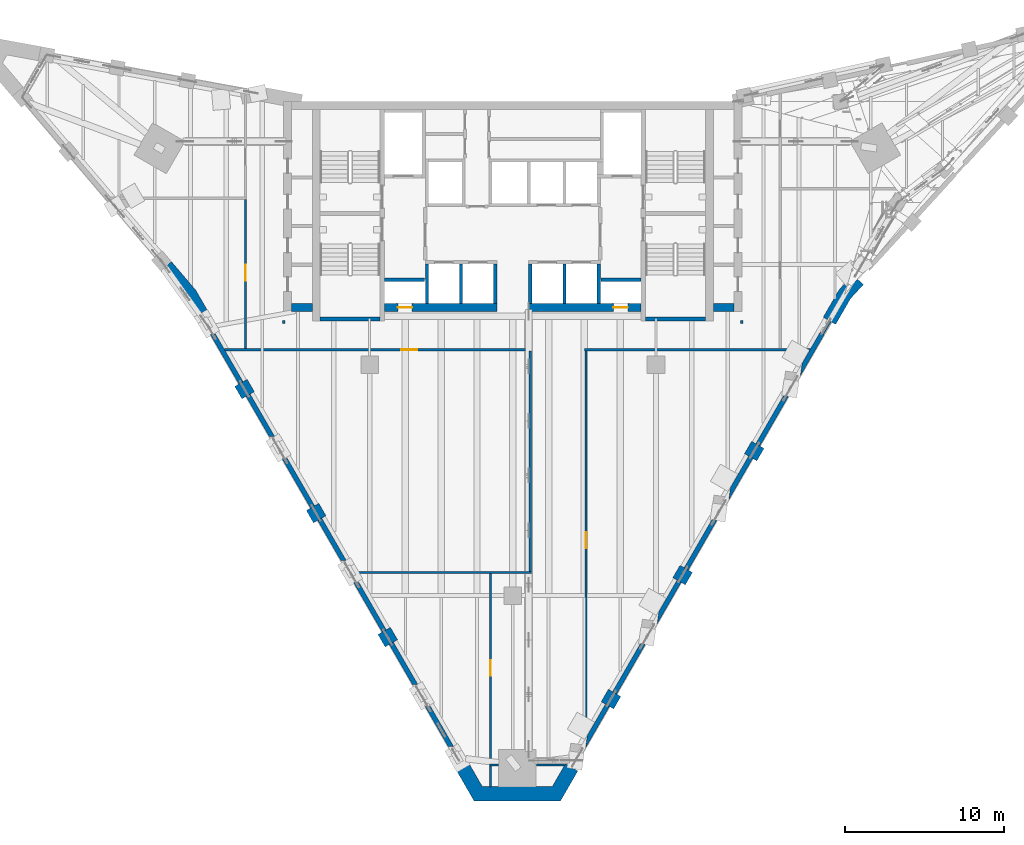
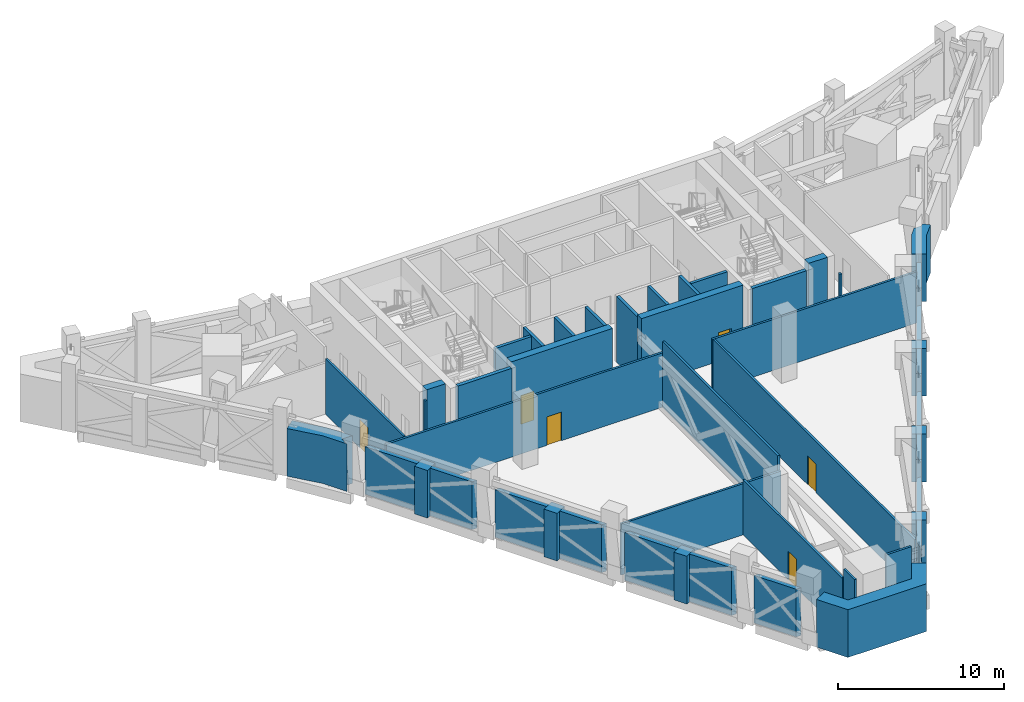
# One storey, part 10 of 23: 50 walls, 6 doors, 6 openings.
"""IFC4 building model written with IfcOpenShell, lengths in metres."""

from ifc_helpers import new_model, si_unit, direction, frame, frame_2d, origin, place, context, subcontext, project, spatial, polyline, rectangle, outline, extrude, material, layer, layer_set, type_object, element, fill, save


model = new_model("IFC4")

# Units and contexts
model_context = context("Model", 3, precision=1e-05, world=origin(), true_north=direction((0.0, 1.0)))
body_context = subcontext(model_context, "Body", "Model", "MODEL_VIEW")
ifc_project = project(units=[si_unit("LENGTHUNIT", "METRE"), si_unit("AREAUNIT", "SQUARE_METRE"), si_unit("VOLUMEUNIT", "CUBIC_METRE"), si_unit("PLANEANGLEUNIT", "RADIAN"), si_unit("MASSUNIT", "GRAM", prefix="KILO")], contexts=[model_context])

# Site, building, storey
site_placement = place(None, origin())
site = spatial("IfcSite", under=ifc_project, at=site_placement, CompositionType="ELEMENT")
building_placement = place(site_placement, origin())
building = spatial("IfcBuilding", under=site, at=building_placement, Name="Calabash Gate Tower", CompositionType="ELEMENT")
storey_placement = place(building_placement, frame((0.0, 0.0, 243.199951171875)))
storey = spatial("IfcBuildingStorey", under=building, at=storey_placement, Name="L58", CompositionType="ELEMENT", Elevation=243.199951171875)

# Walls
ifc_material_1 = material(Name="Terracotta brick masonry, exposed face", Category="masonry")
ifc_layer_1 = layer(ifc_material_1, 0.89990234375)
ifc_layer_set_1 = layer_set([ifc_layer_1], Name="Brick end wall 900")
wall_type_1 = type_object("IfcWallType", Name="Brick end wall 900", PredefinedType="SOLIDWALL", material=ifc_layer_set_1)
wall_1_placement = place(storey_placement, frame((-16.632080078125, 0.5908203125, 0.0), z_axis=(0.0, 0.0, 1.0), x_axis=(-0.50001992892, 0.866013897511, 0.0)))
element("IfcWall", 1, at=wall_1_placement, inside=storey, type_object=wall_type_1, Name="Brick pier L58 SW0.1", PredefinedType="SOLIDWALL", context=body_context, shape_type="SweptSolid", body=[
    extrude(rectangle(XDim=0.89990234375, YDim=0.89990234375, at=frame_2d((0.449951171875, 0.0))), origin(), (0.0, 0.0, 1.0), 3.5),
])
wall_2_placement = place(storey_placement, frame((-12.58203125, -6.424072265625, 0.0), z_axis=(0.0, 0.0, 1.0), x_axis=(0.499902469156, -0.866081705922, 0.0)))
element("IfcWall", 2, at=wall_2_placement, inside=storey, type_object=wall_type_1, Name="Brick pier L58 SW0.3", PredefinedType="SOLIDWALL", context=body_context, shape_type="SweptSolid", body=[
    extrude(rectangle(XDim=0.900146484375, YDim=0.89990234375, at=frame_2d((0.4501953125, 0.0))), origin(), (0.0, 0.0, 1.0), 3.5),
])
for number, where, z_axis, x_axis, name in (
    (3, (-7.46728515625, -14.383056640625, 0.0), (0.0, 0.0, 1.0), (-0.866013897511, -0.50001992892, 0.0), "Brick pier L58 SW0.5"),
    (4, (5.949462890625, -18.894775390625, 0.0), (0.0, 0.0, 1.0), (0.50001992892, 0.866013897511, 0.0), "Brick pier L58 SE2.1"),
    (5, (10.8994140625, -10.3212890625, 0.0), (0.0, 0.0, 1.0), (-0.50001992892, -0.866013897511, 0.0), "Brick pier L58 SE2.3"),
    (6, (14.949462890625, -3.306396484375, 0.0), (0.0, 0.0, 1.0), (0.50001992892, 0.866013897511, 0.0), "Brick pier L58 SE2.5"),
):
    element("IfcWall", number, at=place(storey_placement, frame(where, z_axis=z_axis, x_axis=x_axis)), inside=storey, type_object=wall_type_1, Name=name, PredefinedType="SOLIDWALL", context=body_context, shape_type="SweptSolid", body=[
        extrude(rectangle(XDim=0.89990234375, YDim=0.89990234375, at=frame_2d((0.449951171875, 0.0))), origin(), (0.0, 0.0, 1.0), 3.5),
    ])
wall_3_placement = place(storey_placement, origin())
element("IfcWall", 7, at=wall_3_placement, inside=storey, type_object=wall_type_1, Name="Brick end wall L58 1", PredefinedType="SOLIDWALL", context=body_context, shape_type="SweptSolid", body=[
    extrude(outline(polyline([(-2.7421875, -22.56689453125), (-3.521728515625, -23.01708984375), (-2.432861328125, -24.90283203125), (3.000244140625, -24.90283203125), (4.089111328125, -23.01708984375), (3.3095703125, -22.56689453125), (2.480712890625, -24.0029296875), (-1.913330078125, -24.0029296875), (-2.7421875, -22.56689453125)])), origin(), (0.0, 0.0, 1.0), 3.5),
])
wall_4_placement = place(storey_placement, origin())
element("IfcWall", 8, at=wall_4_placement, inside=storey, type_object=wall_type_1, Name="Brick end wall L58 2", PredefinedType="SOLIDWALL", context=body_context, shape_type="SweptSolid", body=[
    extrude(outline(polyline([(19.509765625, 5.4921875), (20.2890625, 5.042236328125), (21.223388671875, 6.66064453125), (22.035888671875, 7.548828125), (21.680908203125, 7.87353515625), (21.48095703125, 7.737060546875), (20.98828125, 7.737060546875), (20.4931640625, 7.19580078125), (19.509765625, 5.4921875)])), origin(), (0.0, 0.0, 1.0), 3.5),
])
wall_5_placement = place(storey_placement, origin())
element("IfcWall", 9, at=wall_5_placement, inside=storey, type_object=wall_type_1, Name="Brick end wall L58 7", PredefinedType="SOLIDWALL", context=body_context, shape_type="SweptSolid", body=[
    extrude(outline(polyline([(-21.44921875, 8.985595703125), (-22.135009765625, 8.402587890625), (-20.66015625, 6.667724609375), (-19.822998046875, 5.2177734375), (-19.822998046875, 5.7880859375), (-19.113037109375, 5.7880859375), (-19.921630859375, 7.1884765625), (-21.44921875, 8.985595703125)])), origin(), (0.0, 0.0, 1.0), 3.5),
])
ifc_material_2 = material(Name="Concrete C70/85", Category="concrete")
ifc_layer_2 = layer(ifc_material_2, 0.25)
ifc_layer_set_2 = layer_set([ifc_layer_2], Name="Core wall 250 Concrete C70/85")
wall_type_2 = type_object("IfcWallType", Name="Core wall 250 Concrete C70/85", PredefinedType="SHEAR", material=ifc_layer_set_2)
for number, where, z_axis, x_axis, name in (
    (10, (-12.10009765625, 5.377685546875, 0.0), (0.0, 0.0, 1.0), (1.0, 0.0, 0.0), "Core wall Z4-SSW L58"),
    (11, (8.35009765625, 5.377685546875, 0.0), (0.0, 0.0, 1.0), (1.0, 0.0, 0.0), "Core wall Z4-SSE L58"),
):
    element("IfcWall", number, at=place(storey_placement, frame(where, z_axis=z_axis, x_axis=x_axis)), inside=storey, type_object=wall_type_2, Name=name, PredefinedType="SHEAR", context=body_context, shape_type="SweptSolid", body=[
        extrude(rectangle(XDim=3.75, YDim=0.25, at=frame_2d((1.875, 0.0))), origin(), (0.0, 0.0, 1.0), 5.0),
    ])

# Wall, opening, door
ifc_material_3 = material(Name="Concrete C70/85", Category="concrete")
ifc_layer_3 = layer(ifc_material_3, 0.5)
ifc_layer_set_3 = layer_set([ifc_layer_3], Name="Core wall 500 Concrete C70/85")
wall_type_3 = type_object("IfcWallType", Name="Core wall 500 Concrete C70/85", PredefinedType="SHEAR", material=ifc_layer_set_3)
wall_6_placement = place(storey_placement, frame((-8.050048828125, 6.1025390625, 0.0), z_axis=(0.0, 0.0, 1.0), x_axis=(1.0, 0.0, 0.0)))
wall_6 = element("IfcWall", 12, at=wall_6_placement, inside=storey, type_object=wall_type_3, Name="Core wall Z4-SA L58", PredefinedType="SHEAR", context=body_context, shape_type="SweptSolid", body=[
    extrude(rectangle(XDim=7.050048828125, YDim=0.5, at=frame_2d((3.52490234375, 0.0))), origin(), (0.0, 0.0, 1.0), 5.0),
])
opening_1_placement = place(wall_6_placement, frame((0.824951171875, 0.0, 0.0)))
opening_1 = element("IfcOpeningElement", 13, at=opening_1_placement, cuts=wall_6, Name="Opening L58-012", PredefinedType="OPENING", context=body_context, shape_type="SweptSolid", body=[
    extrude(rectangle(XDim=0.89990234375, YDim=2.10009765625, at=frame_2d((0.449951171875, 1.050048828125))), frame((0.0, 0.260009765625, 0.0), z_axis=(0.0, -1.0, 0.0), x_axis=(1.0, 0.0, 0.0)), (0.0, 0.0, 1.0), 0.52001953125),
])
ifc_material_4 = material(Name="Steel fire door set with fire-resisting glazing", Category="steel")
door_type_1 = type_object("IfcDoorType", Name="Fire door D07 900x2100 FD90", OperationType="NOTDEFINED", PredefinedType="DOOR", material=ifc_material_4)
door_1_placement = place(opening_1_placement, origin())
door_1 = element("IfcDoor", 14, at=door_1_placement, inside=storey, type_object=door_type_1, Name="Electrical Riser W door", OperationType="SINGLE_SWING_LEFT", OverallHeight=2.10009765625, OverallWidth=0.89990234375, PredefinedType="DOOR", context=body_context, shape_type="SweptSolid", body=[
    extrude(rectangle(XDim=0.89990234375, YDim=2.10009765625, at=frame_2d((0.449951171875, 1.050048828125))), frame((0.0, 0.02490234375, 0.0), z_axis=(0.0, -1.0, 0.0), x_axis=(1.0, 0.0, 0.0)), (0.0, 0.0, 1.0), 0.050048828125),
])
fill(opening_1, door_1)

wall_7_placement = place(storey_placement, frame((1.0, 6.1025390625, 0.0), z_axis=(0.0, 0.0, 1.0), x_axis=(1.0, 0.0, 0.0)))
wall_7 = element("IfcWall", 15, at=wall_7_placement, inside=storey, type_object=wall_type_3, Name="Core wall Z4-SB L58", PredefinedType="SHEAR", context=body_context, shape_type="SweptSolid", body=[
    extrude(rectangle(XDim=7.050048828125, YDim=0.5, at=frame_2d((3.52490234375, 0.0))), origin(), (0.0, 0.0, 1.0), 5.0),
])
opening_2_placement = place(wall_7_placement, frame((5.324951171875, 0.0, 0.0)))
opening_2 = element("IfcOpeningElement", 16, at=opening_2_placement, cuts=wall_7, Name="Opening L58-013", PredefinedType="OPENING", context=body_context, shape_type="SweptSolid", body=[
    extrude(rectangle(XDim=0.89990234375, YDim=2.10009765625, at=frame_2d((0.449951171875, 1.050048828125))), frame((0.0, 0.260009765625, 0.0), z_axis=(0.0, -1.0, 0.0), x_axis=(1.0, 0.0, 0.0)), (0.0, 0.0, 1.0), 0.52001953125),
])
door_2_placement = place(opening_2_placement, origin())
door_2 = element("IfcDoor", 17, at=door_2_placement, inside=storey, type_object=door_type_1, Name="Mechanical Riser E door", OperationType="SINGLE_SWING_RIGHT", OverallHeight=2.10009765625, OverallWidth=0.89990234375, PredefinedType="DOOR", context=body_context, shape_type="SweptSolid", body=[
    extrude(rectangle(XDim=0.89990234375, YDim=2.10009765625, at=frame_2d((0.449951171875, 1.050048828125))), frame((0.0, 0.02490234375, 0.0), z_axis=(0.0, -1.0, 0.0), x_axis=(1.0, 0.0, 0.0)), (0.0, 0.0, 1.0), 0.050048828125),
])
fill(opening_2, door_2)

# Walls
for number, where, z_axis, x_axis, name in (
    (18, (-12.60009765625, 6.1025390625, 0.0), (0.0, 0.0, 1.0), (-1.0, 0.0, 0.0), "Core wall Z4-SW L58"),
    (19, (12.60009765625, 6.1025390625, 0.0), (0.0, 0.0, 1.0), (1.0, 0.0, 0.0), "Core wall Z4-SE L58"),
):
    element("IfcWall", number, at=place(storey_placement, frame(where, z_axis=z_axis, x_axis=x_axis)), inside=storey, type_object=wall_type_3, Name=name, PredefinedType="SHEAR", context=body_context, shape_type="SweptSolid", body=[
        extrude(rectangle(XDim=1.2998046875, YDim=0.5, at=frame_2d((0.64990234375, 0.0))), origin(), (0.0, 0.0, 1.0), 5.0),
    ])
ifc_material_5 = material(Name="Gypsum board on steel studs, mineral wool", Category="steel")
ifc_layer_4 = layer(ifc_material_5, 0.14990234375)
ifc_layer_set_4 = layer_set([ifc_layer_4], Name="Partition 150 gypsum board")
wall_type_4 = type_object("IfcWallType", Name="Partition 150 gypsum board", PredefinedType="PARTITIONING", material=ifc_layer_set_4)
wall_8_placement = place(storey_placement, frame((-1.39990234375, -24.02294921875, 0.0), z_axis=(0.0, 0.0, 1.0), x_axis=(0.0, 1.0, 0.0)))
element("IfcWall", 20, at=wall_8_placement, inside=storey, type_object=wall_type_4, Name="Partition", PredefinedType="PARTITIONING", context=body_context, shape_type="SweptSolid", body=[
    extrude(rectangle(XDim=1.300537109375, YDim=0.14990234375, at=frame_2d((0.650390625, 0.0))), origin(), (0.0, 0.0, 1.0), 4.830078125),
])
wall_9_placement = place(storey_placement, frame((-1.47509765625, -22.6474609375, 0.0), z_axis=(0.0, 0.0, 1.0), x_axis=(1.0, 0.0, 0.0)))
element("IfcWall", 21, at=wall_9_placement, inside=storey, type_object=wall_type_4, Name="Partition", PredefinedType="PARTITIONING", context=body_context, shape_type="SweptSolid", body=[
    extrude(rectangle(XDim=0.564208984375, YDim=0.14990234375, at=frame_2d((0.2822265625, 0.0))), origin(), (0.0, 0.0, 1.0), 4.130126953125),
])
wall_10_placement = place(storey_placement, frame((1.47900390625, -22.6474609375, 0.0), z_axis=(0.0, 0.0, 1.0), x_axis=(1.0, 0.0, 0.0)))
element("IfcWall", 22, at=wall_10_placement, inside=storey, type_object=wall_type_4, Name="Partition", PredefinedType="PARTITIONING", context=body_context, shape_type="SweptSolid", body=[
    extrude(rectangle(XDim=1.76123046875, YDim=0.14990234375, at=frame_2d((0.880615234375, 0.0))), origin(), (0.0, 0.0, 1.0), 4.830078125),
])

# Wall, opening, door
wall_11_placement = place(storey_placement, frame((-1.39990234375, -22.572509765625, 0.0), z_axis=(0.0, 0.0, 1.0), x_axis=(0.0, 1.0, 0.0)))
wall_11 = element("IfcWall", 23, at=wall_11_placement, inside=storey, type_object=wall_type_4, Name="Partition", PredefinedType="PARTITIONING", context=body_context, shape_type="SweptSolid", body=[
    extrude(rectangle(XDim=11.9501953125, YDim=0.14990234375, at=frame_2d((5.97509765625, 0.0))), origin(), (0.0, 0.0, 1.0), 4.050048828125),
])
opening_3_placement = place(wall_11_placement, frame((5.52490234375, 0.0, 0.0)))
opening_3 = element("IfcOpeningElement", 24, at=opening_3_placement, cuts=wall_11, Name="Opening L58-027", PredefinedType="OPENING", context=body_context, shape_type="SweptSolid", body=[
    extrude(rectangle(XDim=1.0, YDim=2.10009765625, at=frame_2d((0.5, 1.050048828125))), frame((0.0, 0.0849609375, 0.0), z_axis=(0.0, -1.0, 0.0), x_axis=(1.0, 0.0, 0.0)), (0.0, 0.0, 1.0), 0.169921875),
])
ifc_material_6 = material(Name="Steel fire door set with fire-resisting glazing", Category="steel")
door_type_2 = type_object("IfcDoorType", Name="Fire door D11 1000x2100 FD60", OperationType="NOTDEFINED", PredefinedType="DOOR", material=ifc_material_6)
door_3_placement = place(opening_3_placement, origin())
door_3 = element("IfcDoor", 25, at=door_3_placement, inside=storey, type_object=door_type_2, Name="Air Handling Plant Room door", OperationType="SINGLE_SWING_RIGHT", OverallHeight=2.10009765625, OverallWidth=1.0, PredefinedType="DOOR", context=body_context, shape_type="SweptSolid", body=[
    extrude(rectangle(XDim=1.0, YDim=2.10009765625, at=frame_2d((0.5, 1.050048828125))), frame((0.0, 0.02490234375, 0.0), z_axis=(0.0, -1.0, 0.0), x_axis=(1.0, 0.0, 0.0)), (0.0, 0.0, 1.0), 0.050048828125),
])
fill(opening_3, door_3)

wall_12_placement = place(storey_placement, frame((4.60009765625, -20.84033203125, 0.0), z_axis=(0.0, 0.0, 1.0), x_axis=(0.0, 1.0, 0.0)))
wall_12 = element("IfcWall", 26, at=wall_12_placement, inside=storey, type_object=wall_type_4, Name="Partition", PredefinedType="PARTITIONING", context=body_context, shape_type="SweptSolid", body=[
    extrude(rectangle(XDim=24.218017578125, YDim=0.14990234375, at=frame_2d((12.10888671875, 0.0))), origin(), (0.0, 0.0, 1.0), 3.751953125),
])
opening_4_placement = place(wall_12_placement, frame((11.83203125, 0.0, 0.0)))
opening_4 = element("IfcOpeningElement", 27, at=opening_4_placement, cuts=wall_12, Name="Opening L58-028", PredefinedType="OPENING", context=body_context, shape_type="SweptSolid", body=[
    extrude(rectangle(XDim=1.0, YDim=2.10009765625, at=frame_2d((0.5, 1.050048828125))), frame((0.0, 0.0849609375, 0.0), z_axis=(0.0, -1.0, 0.0), x_axis=(1.0, 0.0, 0.0)), (0.0, 0.0, 1.0), 0.169921875),
])
ifc_material_7 = material(Name="Steel fire door set with fire-resisting glazing", Category="steel")
door_type_3 = type_object("IfcDoorType", Name="Fire door D12 1000x2100 FD90", OperationType="NOTDEFINED", PredefinedType="DOOR", material=ifc_material_7)
door_4_placement = place(opening_4_placement, origin())
door_4 = element("IfcDoor", 28, at=door_4_placement, inside=storey, type_object=door_type_3, Name="Refuge Area E door", OperationType="SINGLE_SWING_RIGHT", OverallHeight=2.10009765625, OverallWidth=1.0, PredefinedType="DOOR", context=body_context, shape_type="SweptSolid", body=[
    extrude(rectangle(XDim=1.0, YDim=2.10009765625, at=frame_2d((0.5, 1.050048828125))), frame((0.0, 0.02490234375, 0.0), z_axis=(0.0, -1.0, 0.0), x_axis=(1.0, 0.0, 0.0)), (0.0, 0.0, 1.0), 0.050048828125),
])
fill(opening_4, door_4)

# Walls
wall_13_placement = place(storey_placement, frame((-9.929931640625, -10.54736328125, 0.0), z_axis=(0.0, 0.0, 1.0), x_axis=(1.0, 0.0, 0.0)))
element("IfcWall", 29, at=wall_13_placement, inside=storey, type_object=wall_type_4, Name="Partition", PredefinedType="PARTITIONING", context=body_context, shape_type="SweptSolid", body=[
    extrude(rectangle(XDim=11.10498046875, YDim=0.14990234375, at=frame_2d((5.552490234375, 0.0))), origin(), (0.0, 0.0, 1.0), 3.751953125),
])
wall_14_placement = place(storey_placement, frame((1.10009765625, -10.472412109375, 0.0), z_axis=(0.0, 0.0, 1.0), x_axis=(0.0, 1.0, 0.0)))
element("IfcWall", 30, at=wall_14_placement, inside=storey, type_object=wall_type_4, Name="Partition", PredefinedType="PARTITIONING", context=body_context, shape_type="SweptSolid", body=[
    extrude(rectangle(XDim=13.85009765625, YDim=0.14990234375, at=frame_2d((6.925048828125, 0.0))), origin(), (0.0, 0.0, 1.0), 4.830078125),
])

# Wall, opening, door
wall_15_placement = place(storey_placement, frame((-18.131103515625, 3.45263671875, 0.0), z_axis=(0.0, 0.0, 1.0), x_axis=(1.0, 0.0, 0.0)))
wall_15 = element("IfcWall", 31, at=wall_15_placement, inside=storey, type_object=wall_type_4, Name="Partition", PredefinedType="PARTITIONING", context=body_context, shape_type="SweptSolid", body=[
    extrude(rectangle(XDim=19.336181640625, YDim=0.14990234375, at=frame_2d((9.66796875, 0.0))), origin(), (0.0, 0.0, 1.0), 3.984130859375),
])
opening_5_placement = place(wall_15_placement, frame((11.131103515625, 0.0, 0.0)))
opening_5 = element("IfcOpeningElement", 32, at=opening_5_placement, cuts=wall_15, Name="Opening L58-026", PredefinedType="OPENING", context=body_context, shape_type="SweptSolid", body=[
    extrude(rectangle(XDim=1.0, YDim=2.10009765625, at=frame_2d((0.5, 1.050048828125))), frame((0.0, 0.0849609375, 0.0), z_axis=(0.0, -1.0, 0.0), x_axis=(1.0, 0.0, 0.0)), (0.0, 0.0, 1.0), 0.169921875),
])
door_5_placement = place(opening_5_placement, origin())
door_5 = element("IfcDoor", 33, at=door_5_placement, inside=storey, type_object=door_type_3, Name="Refuge Area W door", OperationType="SINGLE_SWING_RIGHT", OverallHeight=2.10009765625, OverallWidth=1.0, PredefinedType="DOOR", context=body_context, shape_type="SweptSolid", body=[
    extrude(rectangle(XDim=1.0, YDim=2.10009765625, at=frame_2d((0.5, 1.050048828125))), frame((0.0, 0.02490234375, 0.0), z_axis=(0.0, -1.0, 0.0), x_axis=(1.0, 0.0, 0.0)), (0.0, 0.0, 1.0), 0.050048828125),
])
fill(opening_5, door_5)

# Wall
wall_16_placement = place(storey_placement, frame((4.4951171875, 3.45263671875, 0.0), z_axis=(0.0, 0.0, 1.0), x_axis=(1.0, 0.0, 0.0)))
element("IfcWall", 34, at=wall_16_placement, inside=storey, type_object=wall_type_4, Name="Partition", PredefinedType="PARTITIONING", context=body_context, shape_type="SweptSolid", body=[
    extrude(rectangle(XDim=14.203369140625, YDim=0.14990234375, at=frame_2d((7.1015625, 0.0))), origin(), (0.0, 0.0, 1.0), 3.751953125),
])

# Wall, opening, door
wall_17_placement = place(storey_placement, frame((-16.800048828125, 3.527587890625, 0.0), z_axis=(0.0, 0.0, 1.0), x_axis=(0.0, 1.0, 0.0)))
wall_17 = element("IfcWall", 35, at=wall_17_placement, inside=storey, type_object=wall_type_4, Name="Partition", PredefinedType="PARTITIONING", context=body_context, shape_type="SweptSolid", body=[
    extrude(rectangle(XDim=9.363037109375, YDim=0.14990234375, at=frame_2d((4.681640625, 0.0))), origin(), (0.0, 0.0, 1.0), 4.050048828125),
])
opening_6_placement = place(wall_17_placement, frame((4.27490234375, 0.0, 0.0)))
opening_6 = element("IfcOpeningElement", 36, at=opening_6_placement, cuts=wall_17, Name="Opening L58-023", PredefinedType="OPENING", context=body_context, shape_type="SweptSolid", body=[
    extrude(rectangle(XDim=1.0, YDim=2.10009765625, at=frame_2d((0.5, 1.050048828125))), frame((0.0, 0.0849609375, 0.0), z_axis=(0.0, -1.0, 0.0), x_axis=(1.0, 0.0, 0.0)), (0.0, 0.0, 1.0), 0.169921875),
])
door_6_placement = place(opening_6_placement, origin())
door_6 = element("IfcDoor", 37, at=door_6_placement, inside=storey, type_object=door_type_2, Name="Fire Pump Room door", OperationType="SINGLE_SWING_RIGHT", OverallHeight=2.10009765625, OverallWidth=1.0, PredefinedType="DOOR", context=body_context, shape_type="SweptSolid", body=[
    extrude(rectangle(XDim=1.0, YDim=2.10009765625, at=frame_2d((0.5, 1.050048828125))), frame((0.0, 0.02490234375, 0.0), z_axis=(0.0, -1.0, 0.0), x_axis=(1.0, 0.0, 0.0)), (0.0, 0.0, 1.0), 0.050048828125),
])
fill(opening_6, door_6)

# Walls
wall_18_placement = place(storey_placement, frame((-14.39990234375, 5.09765625, 0.0), z_axis=(0.0, 0.0, 1.0), x_axis=(0.0, 1.0, 0.0)))
element("IfcWall", 38, at=wall_18_placement, inside=storey, type_object=wall_type_4, Name="Partition", PredefinedType="PARTITIONING", context=body_context, shape_type="SweptSolid", body=[
    extrude(rectangle(XDim=0.179931640625, YDim=0.14990234375, at=frame_2d((0.08984375, 0.0))), origin(), (0.0, 0.0, 1.0), 4.830078125),
])
wall_19_placement = place(storey_placement, frame((14.39990234375, 5.09765625, 0.0), z_axis=(0.0, 0.0, 1.0), x_axis=(0.0, 1.0, 0.0)))
element("IfcWall", 39, at=wall_19_placement, inside=storey, type_object=wall_type_4, Name="Partition", PredefinedType="PARTITIONING", context=body_context, shape_type="SweptSolid", body=[
    extrude(rectangle(XDim=0.179931640625, YDim=0.14990234375, at=frame_2d((0.08984375, 0.0))), origin(), (0.0, 0.0, 1.0), 4.050048828125),
])
ifc_material_8 = material(Name="Concrete C40/50", Category="concrete")
ifc_layer_5 = layer(ifc_material_8, 0.199951171875)
ifc_layer_set_5 = layer_set([ifc_layer_5], Name="Shaft wall 200 Concrete C40/50")
wall_type_5 = type_object("IfcWallType", Name="Shaft wall 200 Concrete C40/50", PredefinedType="SOLIDWALL", material=ifc_layer_set_5)
for number, where, z_axis, x_axis, name in (
    (40, (-5.39990234375, 6.3525390625, 0.0), (0.0, 0.0, 1.0), (0.0, 1.0, 0.0), "Shaft wall"),
    (41, (-3.25, 6.3525390625, 0.0), (0.0, 0.0, 1.0), (0.0, 1.0, 0.0), "Shaft wall"),
    (42, (-1.10009765625, 6.3525390625, 0.0), (0.0, 0.0, 1.0), (0.0, 1.0, 0.0), "Shaft wall"),
    (43, (1.10009765625, 6.3525390625, 0.0), (0.0, 0.0, 1.0), (0.0, 1.0, 0.0), "Shaft wall"),
    (44, (3.25, 6.3525390625, 0.0), (0.0, 0.0, 1.0), (0.0, 1.0, 0.0), "Shaft wall"),
    (45, (5.39990234375, 6.3525390625, 0.0), (0.0, 0.0, 1.0), (0.0, 1.0, 0.0), "Shaft wall"),
    (46, (-8.050048828125, 7.8525390625, 0.0), (0.0, 0.0, 1.0), (1.0, 0.0, 0.0), "Shaft wall"),
    (47, (5.550048828125, 7.8525390625, 0.0), (0.0, 0.0, 1.0), (1.0, 0.0, 0.0), "Shaft wall"),
):
    element("IfcWall", number, at=place(storey_placement, frame(where, z_axis=z_axis, x_axis=x_axis)), inside=storey, type_object=wall_type_5, Name=name, PredefinedType="SOLIDWALL", context=body_context, shape_type="SweptSolid", body=[
        extrude(rectangle(XDim=2.5, YDim=0.199951171875, at=frame_2d((1.25, 0.0))), origin(), (0.0, 0.0, 1.0), 4.830078125),
    ])
ifc_material_9 = material(Name="Terracotta brick masonry, perforated", Category="masonry")
ifc_layer_6 = layer(ifc_material_9, 0.1201171875)
ifc_layer_set_6 = layer_set([ifc_layer_6], Name="Terracotta jaali cladding A 120")
wall_type_6 = type_object("IfcWallType", Name="Terracotta jaali cladding A 120", PredefinedType="SOLIDWALL", material=ifc_layer_set_6)
wall_20_placement = place(storey_placement, frame((19.94921875, 5.23388671875, 0.0), z_axis=(0.0, 0.0, 1.0), x_axis=(-0.499881837328, -0.866093614288, 0.0)))
element("IfcWall", 48, at=wall_20_placement, inside=storey, type_object=wall_type_6, Name="Jaali cladding L58 SE2.c1", PredefinedType="SOLIDWALL", context=body_context, shape_type="SweptSolid", body=[
    extrude(rectangle(XDim=0.884033203125, YDim=0.1201171875, at=frame_2d((0.44189453125, 0.0))), origin(), (0.0, 0.0, 1.0), 3.5),
])
ifc_material_10 = material(Name="Terracotta louvre blades in an aluminium frame", Category="masonry")
ifc_layer_7 = layer(ifc_material_10, 0.300048828125)
ifc_layer_set_7 = layer_set([ifc_layer_7], Name="Terracotta louvre wall 300")
wall_type_7 = type_object("IfcWallType", Name="Terracotta louvre wall 300", PredefinedType="ELEMENTEDWALL", material=ifc_layer_set_7)
wall_21_placement = place(storey_placement, origin())
element("IfcWall", 49, at=wall_21_placement, inside=storey, type_object=wall_type_7, Name="LOUVRE L58 SW0.1", PredefinedType="ELEMENTEDWALL", context=body_context, shape_type="SweptSolid", body=[
    extrude(outline(polyline([(-16.9521484375, 1.445068359375), (-18.67431640625, 4.427978515625), (-18.985595703125, 4.427978515625), (-19.011962890625, 4.412841796875), (-17.2119140625, 1.295166015625), (-16.9521484375, 1.445068359375)])), origin(), (0.0, 0.0, 1.0), 3.5),
])
wall_22_placement = place(storey_placement, origin())
element("IfcWall", 50, at=wall_22_placement, inside=storey, type_object=wall_type_7, Name="LOUVRE L58 SW0.2", PredefinedType="ELEMENTEDWALL", context=body_context, shape_type="SweptSolid", body=[
    extrude(outline(polyline([(-16.761962890625, 0.515625), (-15.305908203125, -2.006103515625), (-14.95947265625, -2.006103515625), (-16.501953125, 0.665771484375), (-16.761962890625, 0.515625)])), origin(), (0.0, 0.0, 1.0), 3.5),
])
wall_23_placement = place(storey_placement, origin())
element("IfcWall", 51, at=wall_23_placement, inside=storey, type_object=wall_type_7, Name="LOUVRE L58 SW0.3", PredefinedType="ELEMENTEDWALL", context=body_context, shape_type="SweptSolid", body=[
    extrude(outline(polyline([(-12.4521484375, -6.34912109375), (-14.173828125, -3.366943359375), (-14.487060546875, -3.366943359375), (-14.511962890625, -3.38134765625), (-12.7119140625, -6.4990234375), (-12.4521484375, -6.34912109375)])), origin(), (0.0, 0.0, 1.0), 3.5),
])
wall_24_placement = place(storey_placement, origin())
element("IfcWall", 52, at=wall_24_placement, inside=storey, type_object=wall_type_7, Name="LOUVRE L58 SW0.4", PredefinedType="ELEMENTEDWALL", context=body_context, shape_type="SweptSolid", body=[
    extrude(outline(polyline([(-12.261962890625, -7.278564453125), (-10.80615234375, -9.800048828125), (-10.459716796875, -9.800048828125), (-12.001953125, -7.12841796875), (-12.261962890625, -7.278564453125)])), origin(), (0.0, 0.0, 1.0), 3.5),
])
wall_25_placement = place(storey_placement, origin())
element("IfcWall", 53, at=wall_25_placement, inside=storey, type_object=wall_type_7, Name="LOUVRE L58 SW0.5", PredefinedType="ELEMENTEDWALL", context=body_context, shape_type="SweptSolid", body=[
    extrude(outline(polyline([(-7.9521484375, -14.143310546875), (-9.673828125, -11.160888671875), (-9.986572265625, -11.160888671875), (-10.011962890625, -11.175537109375), (-8.2119140625, -14.293212890625), (-7.9521484375, -14.143310546875)])), origin(), (0.0, 0.0, 1.0), 3.5),
])
wall_26_placement = place(storey_placement, origin())
element("IfcWall", 54, at=wall_26_placement, inside=storey, type_object=wall_type_7, Name="LOUVRE L58 SW0.6", PredefinedType="ELEMENTEDWALL", context=body_context, shape_type="SweptSolid", body=[
    extrude(outline(polyline([(-7.761962890625, -15.07275390625), (-6.306884765625, -17.593017578125), (-5.96044921875, -17.593017578125), (-7.501953125, -14.9228515625), (-7.761962890625, -15.07275390625)])), origin(), (0.0, 0.0, 1.0), 3.5),
])
wall_27_placement = place(storey_placement, origin())
element("IfcWall", 55, at=wall_27_placement, inside=storey, type_object=wall_type_7, Name="LOUVRE L58 SW0.7", PredefinedType="ELEMENTEDWALL", context=body_context, shape_type="SweptSolid", body=[
    extrude(outline(polyline([(-5.511962890625, -18.969970703125), (-4.0556640625, -21.491943359375), (-3.709228515625, -21.491943359375), (-5.17529296875, -18.952880859375), (-5.482666015625, -18.952880859375), (-5.511962890625, -18.969970703125)])), origin(), (0.0, 0.0, 1.0), 3.5),
])
wall_28_placement = place(storey_placement, origin())
element("IfcWall", 56, at=wall_28_placement, inside=storey, type_object=wall_type_7, Name="LOUVRE L58 SE2.1", PredefinedType="ELEMENTEDWALL", context=body_context, shape_type="SweptSolid", body=[
    extrude(outline(polyline([(5.819580078125, -18.81982421875), (4.6826171875, -20.7890625), (4.570068359375, -21.583984375), (6.079345703125, -18.969970703125), (5.819580078125, -18.81982421875)])), origin(), (0.0, 0.0, 1.0), 3.5),
])
wall_29_placement = place(storey_placement, origin())
element("IfcWall", 57, at=wall_29_placement, inside=storey, type_object=wall_type_7, Name="LOUVRE L58 SE2.2", PredefinedType="ELEMENTEDWALL", context=body_context, shape_type="SweptSolid", body=[
    extrude(outline(polyline([(8.329345703125, -15.07275390625), (8.23974609375, -15.02099609375), (8.0126953125, -15.02099609375), (6.26953125, -18.04052734375), (6.529296875, -18.1904296875), (8.329345703125, -15.07275390625)])), origin(), (0.0, 0.0, 1.0), 3.5),
])
wall_30_placement = place(storey_placement, origin())
element("IfcWall", 58, at=wall_30_placement, inside=storey, type_object=wall_type_7, Name="LOUVRE L58 SE2.3", PredefinedType="ELEMENTEDWALL", context=body_context, shape_type="SweptSolid", body=[
    extrude(outline(polyline([(10.319580078125, -11.025634765625), (9.1826171875, -12.99462890625), (9.0703125, -13.789306640625), (10.579345703125, -11.175537109375), (10.319580078125, -11.025634765625)])), origin(), (0.0, 0.0, 1.0), 3.5),
])
wall_31_placement = place(storey_placement, origin())
element("IfcWall", 59, at=wall_31_placement, inside=storey, type_object=wall_type_7, Name="LOUVRE L58 SE2.4", PredefinedType="ELEMENTEDWALL", context=body_context, shape_type="SweptSolid", body=[
    extrude(outline(polyline([(12.829345703125, -7.278564453125), (12.73828125, -7.22607421875), (12.51318359375, -7.22607421875), (10.76953125, -10.24609375), (11.029296875, -10.396240234375), (12.829345703125, -7.278564453125)])), origin(), (0.0, 0.0, 1.0), 3.5),
])
wall_32_placement = place(storey_placement, origin())
element("IfcWall", 60, at=wall_32_placement, inside=storey, type_object=wall_type_7, Name="LOUVRE L58 SE2.5", PredefinedType="ELEMENTEDWALL", context=body_context, shape_type="SweptSolid", body=[
    extrude(outline(polyline([(14.819580078125, -3.2314453125), (13.68212890625, -5.201416015625), (13.56982421875, -5.995849609375), (15.079345703125, -3.38134765625), (14.819580078125, -3.2314453125)])), origin(), (0.0, 0.0, 1.0), 3.5),
])
wall_33_placement = place(storey_placement, origin())
element("IfcWall", 61, at=wall_33_placement, inside=storey, type_object=wall_type_7, Name="LOUVRE L58 SE2.6", PredefinedType="ELEMENTEDWALL", context=body_context, shape_type="SweptSolid", body=[
    extrude(outline(polyline([(17.329345703125, 0.515625), (17.23876953125, 0.568115234375), (17.012939453125, 0.568115234375), (15.26953125, -2.451904296875), (15.529296875, -2.60205078125), (17.329345703125, 0.515625)])), origin(), (0.0, 0.0, 1.0), 3.5),
])
wall_34_placement = place(storey_placement, origin())
element("IfcWall", 62, at=wall_34_placement, inside=storey, type_object=wall_type_7, Name="LOUVRE L58 SE2.7", PredefinedType="ELEMENTEDWALL", context=body_context, shape_type="SweptSolid", body=[
    extrude(outline(polyline([(19.319580078125, 4.562744140625), (18.1826171875, 2.593505859375), (18.070068359375, 1.798828125), (19.579345703125, 4.412841796875), (19.319580078125, 4.562744140625)])), origin(), (0.0, 0.0, 1.0), 3.5),
])

save(model, "model.ifc")
